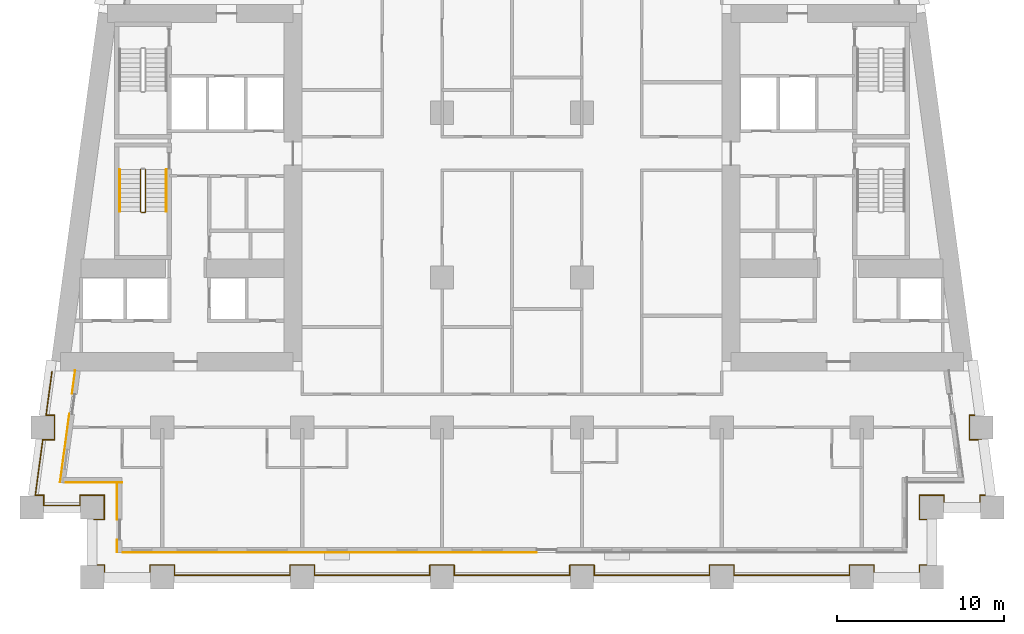
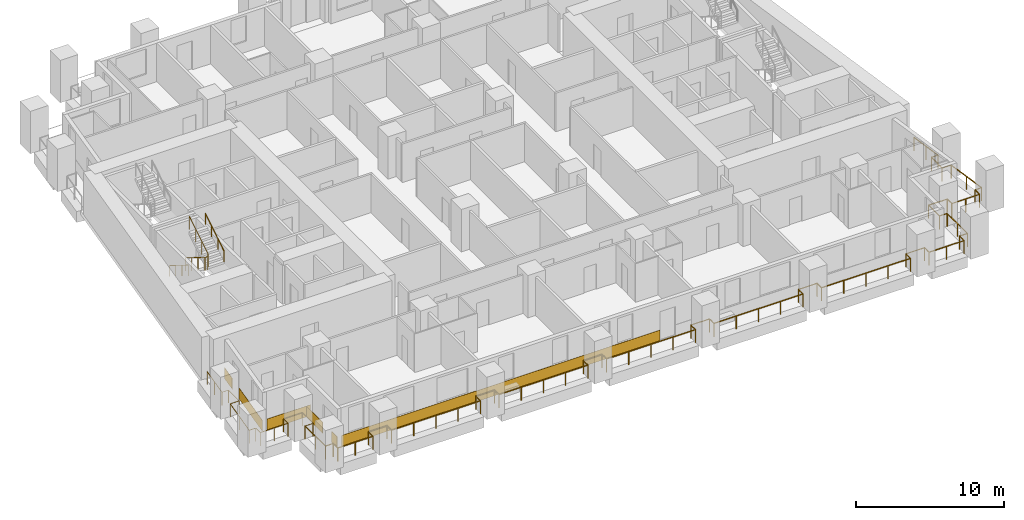
# One storey, part 9 of 13: 6 coverings, 5 railings.
"""IFC4 building model written with IfcOpenShell, lengths in metres."""

from ifc_helpers import new_model, si_unit, direction, frame, origin, origin_2d, place, context, subcontext, project, spatial, rectangle, circle, extrude, material, layer, layer_set, type_object, element, save


model = new_model("IFC4")

# Units and contexts
model_context = context("Model", 3, precision=1e-05, world=origin(), true_north=direction((0.0, 1.0)))
body_context = subcontext(model_context, "Body", "Model", "MODEL_VIEW")
ifc_project = project(units=[si_unit("LENGTHUNIT", "METRE"), si_unit("AREAUNIT", "SQUARE_METRE"), si_unit("VOLUMEUNIT", "CUBIC_METRE"), si_unit("PLANEANGLEUNIT", "RADIAN"), si_unit("MASSUNIT", "GRAM", prefix="KILO")], contexts=[model_context])

# Site, building, storey
site_placement = place(None, origin())
site = spatial("IfcSite", under=ifc_project, at=site_placement, CompositionType="ELEMENT")
building_placement = place(site_placement, origin())
building = spatial("IfcBuilding", under=site, at=building_placement, Name="Candeia Pilgrim Tower and Theatre", CompositionType="ELEMENT")
storey_placement = place(building_placement, frame((0.0, 0.0, 60.0)))
storey = spatial("IfcBuildingStorey", under=building, at=storey_placement, Name="L12", CompositionType="ELEMENT", Elevation=60.0)

# Railings
ifc_material_1 = material(Name="Stainless steel balustrade", Category="steel")
railing_type_1 = type_object("IfcRailingType", Name="G1 loggia guard 1100", PredefinedType="GUARDRAIL", material=ifc_material_1)
railing_1_placement = place(storey_placement, frame((88.320068359375, 101.469970703125, 0.0)))
element("IfcRailing", 1, at=railing_1_placement, inside=storey, type_object=railing_type_1, Name="Guard L12.1", PredefinedType="GUARDRAIL", context=body_context, shape_type="SweptSolid", body=[
    extrude(circle(Radius=0.02392578125, at=origin_2d()), frame((0.0, 0.0, 1.076171875), z_axis=(1.0, 0.0, 0.0), x_axis=(0.0, 1.0, 0.0)), (0.0, 0.0, 1.0), 0.60986328125),
    extrude(circle(Radius=0.02392578125, at=origin_2d()), frame((0.60986328125, 0.0, 1.076171875), z_axis=(0.0, 1.0, 0.0), x_axis=(-1.0, 0.0, 0.0)), (0.0, 0.0, 1.0), 1.4599609375),
    extrude(circle(Radius=0.02392578125, at=origin_2d()), frame((0.60986328125, 1.4599609375, 1.076171875), z_axis=(-1.0, 0.0, 0.0), x_axis=(0.0, -1.0, 0.0)), (0.0, 0.0, 1.0), 1.4599609375),
    extrude(circle(Radius=0.02392578125, at=origin_2d()), frame((-0.85009765625, 1.4599609375, 1.076171875), z_axis=(0.0, -1.0, 0.0), x_axis=(1.0, 0.0, 0.0)), (0.0, 0.0, 1.0), 0.60986328125),
    extrude(circle(Radius=0.02392578125, at=origin_2d()), frame((-0.85009765625, 0.85009765625, 1.076171875), z_axis=(-1.0, 0.0, 0.0), x_axis=(0.0, -1.0, 0.0)), (0.0, 0.0, 1.0), 2.174560546875),
    extrude(circle(Radius=0.02392578125, at=origin_2d()), frame((-3.024658203125, 0.85009765625, 1.076171875), z_axis=(0.0, 1.0, 0.0), x_axis=(-1.0, 0.0, 0.0)), (0.0, 0.0, 1.0), 0.60986328125),
    extrude(circle(Radius=0.02392578125, at=origin_2d()), frame((-3.024658203125, 1.4599609375, 1.076171875), z_axis=(-1.0, 0.0, 0.0), x_axis=(0.0, -1.0, 0.0)), (0.0, 0.0, 1.0), 0.5107421875),
    extrude(circle(Radius=0.02392578125, at=origin_2d()), frame((-3.535400390625, 1.4599609375, 1.076171875), z_axis=(0.133435273035, 0.991057530071, 0.0), x_axis=(-0.991057530071, 0.133435273035, 0.0)), (0.0, 0.0, 1.0), 3.3701171875),
    extrude(circle(Radius=0.02392578125, at=origin_2d()), frame((-3.085693359375, 4.800048828125, 1.076171875), z_axis=(1.0, 0.0, 0.0), x_axis=(0.0, 1.0, 0.0)), (0.0, 0.0, 1.0), 0.707275390625),
    extrude(circle(Radius=0.02392578125, at=origin_2d()), frame((-2.37841796875, 4.800048828125, 1.076171875), z_axis=(0.0, 1.0, 0.0), x_axis=(-1.0, 0.0, 0.0)), (0.0, 0.0, 1.0), 1.4599609375),
    extrude(circle(Radius=0.02392578125, at=origin_2d()), frame((-2.37841796875, 6.260009765625, 1.076171875), z_axis=(-1.0, 0.0, 0.0), x_axis=(0.0, -1.0, 0.0)), (0.0, 0.0, 1.0), 0.5107421875),
    extrude(circle(Radius=0.02392578125, at=origin_2d()), frame((-2.88916015625, 6.260009765625, 1.076171875), z_axis=(0.133439920495, 0.991056904329, 0.0), x_axis=(-0.991056904329, 0.133439920495, 0.0)), (0.0, 0.0, 1.0), 2.643798828125),
    extrude(circle(Radius=0.02099609375, at=origin_2d()), origin(), (0.0, 0.0, 1.0), 1.052001953125),
    extrude(circle(Radius=0.02099609375, at=origin_2d()), frame((0.60986328125, 0.0, 0.0)), (0.0, 0.0, 1.0), 1.052001953125),
    extrude(circle(Radius=0.02099609375, at=origin_2d()), frame((0.60986328125, 1.4599609375, 0.0)), (0.0, 0.0, 1.0), 1.052001953125),
    extrude(circle(Radius=0.02099609375, at=origin_2d()), frame((-0.85009765625, 1.4599609375, 0.0)), (0.0, 0.0, 1.0), 1.052001953125),
    extrude(circle(Radius=0.02099609375, at=origin_2d()), frame((-0.85009765625, 0.85009765625, 0.0)), (0.0, 0.0, 1.0), 1.052001953125),
    extrude(circle(Radius=0.02099609375, at=origin_2d()), frame((-1.9375, 0.85009765625, 0.0)), (0.0, 0.0, 1.0), 1.052001953125),
    extrude(circle(Radius=0.02099609375, at=origin_2d()), frame((-3.024658203125, 0.85009765625, 0.0)), (0.0, 0.0, 1.0), 1.052001953125),
    extrude(circle(Radius=0.02099609375, at=origin_2d()), frame((-3.024658203125, 1.4599609375, 0.0)), (0.0, 0.0, 1.0), 1.052001953125),
    extrude(circle(Radius=0.02099609375, at=origin_2d()), frame((-3.535400390625, 1.4599609375, 0.0)), (0.0, 0.0, 1.0), 1.052001953125),
    extrude(circle(Radius=0.02099609375, at=origin_2d()), frame((-3.310546875, 3.1298828125, 0.0)), (0.0, 0.0, 1.0), 1.052001953125),
    extrude(circle(Radius=0.02099609375, at=origin_2d()), frame((-3.085693359375, 4.800048828125, 0.0)), (0.0, 0.0, 1.0), 1.052001953125),
    extrude(circle(Radius=0.02099609375, at=origin_2d()), frame((-2.37841796875, 4.800048828125, 0.0)), (0.0, 0.0, 1.0), 1.052001953125),
    extrude(circle(Radius=0.02099609375, at=origin_2d()), frame((-2.37841796875, 6.260009765625, 0.0)), (0.0, 0.0, 1.0), 1.052001953125),
    extrude(circle(Radius=0.02099609375, at=origin_2d()), frame((-2.88916015625, 6.260009765625, 0.0)), (0.0, 0.0, 1.0), 1.052001953125),
    extrude(circle(Radius=0.02099609375, at=origin_2d()), frame((-2.712890625, 7.570068359375, 0.0)), (0.0, 0.0, 1.0), 1.052001953125),
    extrude(circle(Radius=0.02099609375, at=origin_2d()), frame((-2.536376953125, 8.880126953125, 0.0)), (0.0, 0.0, 1.0), 1.052001953125),
])
railing_2_placement = place(storey_placement, frame((141.016357421875, 110.35009765625, 0.0)))
element("IfcRailing", 2, at=railing_2_placement, inside=storey, type_object=railing_type_1, Name="Guard L12.4", PredefinedType="GUARDRAIL", context=body_context, shape_type="SweptSolid", body=[
    extrude(circle(Radius=0.02392578125, at=origin_2d()), frame((0.0, 0.0, 1.076171875), z_axis=(0.133439920495, -0.991056904329, 0.0), x_axis=(0.991056904329, 0.133439920495, 0.0)), (0.0, 0.0, 1.0), 2.643798828125),
    extrude(circle(Radius=0.02392578125, at=origin_2d()), frame((0.352783203125, -2.6201171875, 1.076171875), z_axis=(-1.0, 0.0, 0.0), x_axis=(0.0, -1.0, 0.0)), (0.0, 0.0, 1.0), 0.5107421875),
    extrude(circle(Radius=0.02392578125, at=origin_2d()), frame((-0.157958984375, -2.6201171875, 1.076171875), z_axis=(0.0, -1.0, 0.0), x_axis=(1.0, 0.0, 0.0)), (0.0, 0.0, 1.0), 1.4599609375),
    extrude(circle(Radius=0.02392578125, at=origin_2d()), frame((-0.157958984375, -4.080078125, 1.076171875), z_axis=(1.0, 0.0, 0.0), x_axis=(0.0, 1.0, 0.0)), (0.0, 0.0, 1.0), 0.707275390625),
    extrude(circle(Radius=0.02392578125, at=origin_2d()), frame((0.54931640625, -4.080078125, 1.076171875), z_axis=(0.133435273035, -0.991057530071, 0.0), x_axis=(0.991057530071, 0.133435273035, 0.0)), (0.0, 0.0, 1.0), 3.3701171875),
    extrude(circle(Radius=0.02392578125, at=origin_2d()), frame((0.9990234375, -7.420166015625, 1.076171875), z_axis=(-1.0, 0.0, 0.0), x_axis=(0.0, -1.0, 0.0)), (0.0, 0.0, 1.0), 0.5107421875),
    extrude(circle(Radius=0.02392578125, at=origin_2d()), frame((0.48828125, -7.420166015625, 1.076171875), z_axis=(0.0, -1.0, 0.0), x_axis=(1.0, 0.0, 0.0)), (0.0, 0.0, 1.0), 0.60986328125),
    extrude(circle(Radius=0.02392578125, at=origin_2d()), frame((0.48828125, -8.030029296875, 1.076171875), z_axis=(-1.0, 0.0, 0.0), x_axis=(0.0, -1.0, 0.0)), (0.0, 0.0, 1.0), 2.174560546875),
    extrude(circle(Radius=0.02392578125, at=origin_2d()), frame((-1.686279296875, -8.030029296875, 1.076171875), z_axis=(0.0, 1.0, 0.0), x_axis=(-1.0, 0.0, 0.0)), (0.0, 0.0, 1.0), 0.60986328125),
    extrude(circle(Radius=0.02392578125, at=origin_2d()), frame((-1.686279296875, -7.420166015625, 1.076171875), z_axis=(-1.0, 0.0, 0.0), x_axis=(0.0, -1.0, 0.0)), (0.0, 0.0, 1.0), 1.4599609375),
    extrude(circle(Radius=0.02392578125, at=origin_2d()), frame((-3.146240234375, -7.420166015625, 1.076171875), z_axis=(0.0, -1.0, 0.0), x_axis=(1.0, 0.0, 0.0)), (0.0, 0.0, 1.0), 1.4599609375),
    extrude(circle(Radius=0.02392578125, at=origin_2d()), frame((-3.146240234375, -8.880126953125, 1.076171875), z_axis=(1.0, 0.0, 0.0), x_axis=(0.0, 1.0, 0.0)), (0.0, 0.0, 1.0), 0.60986328125),
    extrude(circle(Radius=0.02392578125, at=origin_2d()), frame((-2.536376953125, -8.880126953125, 1.076171875), z_axis=(0.0, -1.0, 0.0), x_axis=(1.0, 0.0, 0.0)), (0.0, 0.0, 1.0), 2.739990234375),
    extrude(circle(Radius=0.02392578125, at=origin_2d()), frame((-2.536376953125, -11.6201171875, 1.076171875), z_axis=(-1.0, 0.0, 0.0), x_axis=(0.0, -1.0, 0.0)), (0.0, 0.0, 1.0), 0.60986328125),
    extrude(circle(Radius=0.02392578125, at=origin_2d()), frame((-3.146240234375, -11.6201171875, 1.076171875), z_axis=(0.0, -1.0, 0.0), x_axis=(1.0, 0.0, 0.0)), (0.0, 0.0, 1.0), 0.60986328125),
    extrude(circle(Radius=0.02392578125, at=origin_2d()), frame((-3.146240234375, -12.22998046875, 1.076171875), z_axis=(-1.0, 0.0, 0.0), x_axis=(0.0, -1.0, 0.0)), (0.0, 0.0, 1.0), 2.740234375),
    extrude(circle(Radius=0.02392578125, at=origin_2d()), frame((-5.886474609375, -12.22998046875, 1.076171875), z_axis=(0.0, 1.0, 0.0), x_axis=(-1.0, 0.0, 0.0)), (0.0, 0.0, 1.0), 0.60986328125),
    extrude(circle(Radius=0.02392578125, at=origin_2d()), frame((-5.886474609375, -11.6201171875, 1.076171875), z_axis=(-1.0, 0.0, 0.0), x_axis=(0.0, -1.0, 0.0)), (0.0, 0.0, 1.0), 1.4599609375),
    extrude(circle(Radius=0.02392578125, at=origin_2d()), frame((-7.346435546875, -11.6201171875, 1.076171875), z_axis=(0.0, -1.0, 0.0), x_axis=(1.0, 0.0, 0.0)), (0.0, 0.0, 1.0), 0.60986328125),
    extrude(circle(Radius=0.02392578125, at=origin_2d()), frame((-7.346435546875, -12.22998046875, 1.076171875), z_axis=(-1.0, 0.0, 0.0), x_axis=(0.0, -1.0, 0.0)), (0.0, 0.0, 1.0), 6.93994140625),
    extrude(circle(Radius=0.02392578125, at=origin_2d()), frame((-14.286376953125, -12.22998046875, 1.076171875), z_axis=(0.0, 1.0, 0.0), x_axis=(-1.0, 0.0, 0.0)), (0.0, 0.0, 1.0), 0.60986328125),
    extrude(circle(Radius=0.02392578125, at=origin_2d()), frame((-14.286376953125, -11.6201171875, 1.076171875), z_axis=(-1.0, 0.0, 0.0), x_axis=(0.0, -1.0, 0.0)), (0.0, 0.0, 1.0), 1.4599609375),
    extrude(circle(Radius=0.02392578125, at=origin_2d()), frame((-15.746337890625, -11.6201171875, 1.076171875), z_axis=(0.0, -1.0, 0.0), x_axis=(1.0, 0.0, 0.0)), (0.0, 0.0, 1.0), 0.60986328125),
    extrude(circle(Radius=0.02392578125, at=origin_2d()), frame((-15.746337890625, -12.22998046875, 1.076171875), z_axis=(-1.0, 0.0, 0.0), x_axis=(0.0, -1.0, 0.0)), (0.0, 0.0, 1.0), 6.93994140625),
    extrude(circle(Radius=0.02392578125, at=origin_2d()), frame((-22.686279296875, -12.22998046875, 1.076171875), z_axis=(0.0, 1.0, 0.0), x_axis=(-1.0, 0.0, 0.0)), (0.0, 0.0, 1.0), 0.60986328125),
    extrude(circle(Radius=0.02392578125, at=origin_2d()), frame((-22.686279296875, -11.6201171875, 1.076171875), z_axis=(-1.0, 0.0, 0.0), x_axis=(0.0, -1.0, 0.0)), (0.0, 0.0, 1.0), 1.4599609375),
    extrude(circle(Radius=0.02392578125, at=origin_2d()), frame((-24.146240234375, -11.6201171875, 1.076171875), z_axis=(0.0, -1.0, 0.0), x_axis=(1.0, 0.0, 0.0)), (0.0, 0.0, 1.0), 0.60986328125),
    extrude(circle(Radius=0.02392578125, at=origin_2d()), frame((-24.146240234375, -12.22998046875, 1.076171875), z_axis=(-1.0, 0.0, 0.0), x_axis=(0.0, -1.0, 0.0)), (0.0, 0.0, 1.0), 6.940185546875),
    extrude(circle(Radius=0.02392578125, at=origin_2d()), frame((-31.08642578125, -12.22998046875, 1.076171875), z_axis=(0.0, 1.0, 0.0), x_axis=(-1.0, 0.0, 0.0)), (0.0, 0.0, 1.0), 0.60986328125),
    extrude(circle(Radius=0.02392578125, at=origin_2d()), frame((-31.08642578125, -11.6201171875, 1.076171875), z_axis=(-1.0, 0.0, 0.0), x_axis=(0.0, -1.0, 0.0)), (0.0, 0.0, 1.0), 1.4599609375),
    extrude(circle(Radius=0.02392578125, at=origin_2d()), frame((-32.54638671875, -11.6201171875, 1.076171875), z_axis=(0.0, -1.0, 0.0), x_axis=(1.0, 0.0, 0.0)), (0.0, 0.0, 1.0), 0.60986328125),
    extrude(circle(Radius=0.02392578125, at=origin_2d()), frame((-32.54638671875, -12.22998046875, 1.076171875), z_axis=(-1.0, 0.0, 0.0), x_axis=(0.0, -1.0, 0.0)), (0.0, 0.0, 1.0), 6.93994140625),
    extrude(circle(Radius=0.02392578125, at=origin_2d()), frame((-39.486328125, -12.22998046875, 1.076171875), z_axis=(0.0, 1.0, 0.0), x_axis=(-1.0, 0.0, 0.0)), (0.0, 0.0, 1.0), 0.60986328125),
    extrude(circle(Radius=0.02392578125, at=origin_2d()), frame((-39.486328125, -11.6201171875, 1.076171875), z_axis=(-1.0, 0.0, 0.0), x_axis=(0.0, -1.0, 0.0)), (0.0, 0.0, 1.0), 1.4599609375),
    extrude(circle(Radius=0.02392578125, at=origin_2d()), frame((-40.9462890625, -11.6201171875, 1.076171875), z_axis=(0.0, -1.0, 0.0), x_axis=(1.0, 0.0, 0.0)), (0.0, 0.0, 1.0), 0.60986328125),
    extrude(circle(Radius=0.02392578125, at=origin_2d()), frame((-40.9462890625, -12.22998046875, 1.076171875), z_axis=(-1.0, 0.0, 0.0), x_axis=(0.0, -1.0, 0.0)), (0.0, 0.0, 1.0), 6.940185546875),
    extrude(circle(Radius=0.02392578125, at=origin_2d()), frame((-47.886474609375, -12.22998046875, 1.076171875), z_axis=(0.0, 1.0, 0.0), x_axis=(-1.0, 0.0, 0.0)), (0.0, 0.0, 1.0), 0.60986328125),
    extrude(circle(Radius=0.02392578125, at=origin_2d()), frame((-47.886474609375, -11.6201171875, 1.076171875), z_axis=(-1.0, 0.0, 0.0), x_axis=(0.0, -1.0, 0.0)), (0.0, 0.0, 1.0), 1.4599609375),
    extrude(circle(Radius=0.02392578125, at=origin_2d()), frame((-49.346435546875, -11.6201171875, 1.076171875), z_axis=(0.0, -1.0, 0.0), x_axis=(1.0, 0.0, 0.0)), (0.0, 0.0, 1.0), 0.60986328125),
    extrude(circle(Radius=0.02392578125, at=origin_2d()), frame((-49.346435546875, -12.22998046875, 1.076171875), z_axis=(-1.0, 0.0, 0.0), x_axis=(0.0, -1.0, 0.0)), (0.0, 0.0, 1.0), 2.739990234375),
    extrude(circle(Radius=0.02392578125, at=origin_2d()), frame((-52.08642578125, -12.22998046875, 1.076171875), z_axis=(0.0, 1.0, 0.0), x_axis=(-1.0, 0.0, 0.0)), (0.0, 0.0, 1.0), 0.60986328125),
    extrude(circle(Radius=0.02392578125, at=origin_2d()), frame((-52.08642578125, -11.6201171875, 1.076171875), z_axis=(-1.0, 0.0, 0.0), x_axis=(0.0, -1.0, 0.0)), (0.0, 0.0, 1.0), 0.60986328125),
    extrude(circle(Radius=0.02392578125, at=origin_2d()), frame((-52.6962890625, -11.6201171875, 1.076171875), z_axis=(0.0, 1.0, 0.0), x_axis=(-1.0, 0.0, 0.0)), (0.0, 0.0, 1.0), 2.739990234375),
    extrude(circle(Radius=0.02099609375, at=origin_2d()), origin(), (0.0, 0.0, 1.0), 1.052001953125),
    extrude(circle(Radius=0.02099609375, at=origin_2d()), frame((0.17626953125, -1.31005859375, 0.0)), (0.0, 0.0, 1.0), 1.052001953125),
    extrude(circle(Radius=0.02099609375, at=origin_2d()), frame((0.352783203125, -2.6201171875, 0.0)), (0.0, 0.0, 1.0), 1.052001953125),
    extrude(circle(Radius=0.02099609375, at=origin_2d()), frame((-0.157958984375, -2.6201171875, 0.0)), (0.0, 0.0, 1.0), 1.052001953125),
    extrude(circle(Radius=0.02099609375, at=origin_2d()), frame((-0.157958984375, -4.080078125, 0.0)), (0.0, 0.0, 1.0), 1.052001953125),
    extrude(circle(Radius=0.02099609375, at=origin_2d()), frame((0.54931640625, -4.080078125, 0.0)), (0.0, 0.0, 1.0), 1.052001953125),
    extrude(circle(Radius=0.02099609375, at=origin_2d()), frame((0.774169921875, -5.75, 0.0)), (0.0, 0.0, 1.0), 1.052001953125),
    extrude(circle(Radius=0.02099609375, at=origin_2d()), frame((0.9990234375, -7.420166015625, 0.0)), (0.0, 0.0, 1.0), 1.052001953125),
    extrude(circle(Radius=0.02099609375, at=origin_2d()), frame((0.48828125, -7.420166015625, 0.0)), (0.0, 0.0, 1.0), 1.052001953125),
    extrude(circle(Radius=0.02099609375, at=origin_2d()), frame((0.48828125, -8.030029296875, 0.0)), (0.0, 0.0, 1.0), 1.052001953125),
    extrude(circle(Radius=0.02099609375, at=origin_2d()), frame((-0.59912109375, -8.030029296875, 0.0)), (0.0, 0.0, 1.0), 1.052001953125),
    extrude(circle(Radius=0.02099609375, at=origin_2d()), frame((-1.686279296875, -8.030029296875, 0.0)), (0.0, 0.0, 1.0), 1.052001953125),
    extrude(circle(Radius=0.02099609375, at=origin_2d()), frame((-1.686279296875, -7.420166015625, 0.0)), (0.0, 0.0, 1.0), 1.052001953125),
    extrude(circle(Radius=0.02099609375, at=origin_2d()), frame((-3.146240234375, -7.420166015625, 0.0)), (0.0, 0.0, 1.0), 1.052001953125),
    extrude(circle(Radius=0.02099609375, at=origin_2d()), frame((-3.146240234375, -8.880126953125, 0.0)), (0.0, 0.0, 1.0), 1.052001953125),
    extrude(circle(Radius=0.02099609375, at=origin_2d()), frame((-2.536376953125, -8.880126953125, 0.0)), (0.0, 0.0, 1.0), 1.052001953125),
    extrude(circle(Radius=0.02099609375, at=origin_2d()), frame((-2.536376953125, -10.25, 0.0)), (0.0, 0.0, 1.0), 1.052001953125),
    extrude(circle(Radius=0.02099609375, at=origin_2d()), frame((-2.536376953125, -11.6201171875, 0.0)), (0.0, 0.0, 1.0), 1.052001953125),
    extrude(circle(Radius=0.02099609375, at=origin_2d()), frame((-3.146240234375, -11.6201171875, 0.0)), (0.0, 0.0, 1.0), 1.052001953125),
    extrude(circle(Radius=0.02099609375, at=origin_2d()), frame((-3.146240234375, -12.22998046875, 0.0)), (0.0, 0.0, 1.0), 1.052001953125),
    extrude(circle(Radius=0.02099609375, at=origin_2d()), frame((-4.516357421875, -12.22998046875, 0.0)), (0.0, 0.0, 1.0), 1.052001953125),
    extrude(circle(Radius=0.02099609375, at=origin_2d()), frame((-5.886474609375, -12.22998046875, 0.0)), (0.0, 0.0, 1.0), 1.052001953125),
    extrude(circle(Radius=0.02099609375, at=origin_2d()), frame((-5.886474609375, -11.6201171875, 0.0)), (0.0, 0.0, 1.0), 1.052001953125),
    extrude(circle(Radius=0.02099609375, at=origin_2d()), frame((-7.346435546875, -11.6201171875, 0.0)), (0.0, 0.0, 1.0), 1.052001953125),
    extrude(circle(Radius=0.02099609375, at=origin_2d()), frame((-7.346435546875, -12.22998046875, 0.0)), (0.0, 0.0, 1.0), 1.052001953125),
    extrude(circle(Radius=0.02099609375, at=origin_2d()), frame((-9.08154296875, -12.22998046875, 0.0)), (0.0, 0.0, 1.0), 1.052001953125),
    extrude(circle(Radius=0.02099609375, at=origin_2d()), frame((-10.81640625, -12.22998046875, 0.0)), (0.0, 0.0, 1.0), 1.052001953125),
    extrude(circle(Radius=0.02099609375, at=origin_2d()), frame((-12.55126953125, -12.22998046875, 0.0)), (0.0, 0.0, 1.0), 1.052001953125),
    extrude(circle(Radius=0.02099609375, at=origin_2d()), frame((-14.286376953125, -12.22998046875, 0.0)), (0.0, 0.0, 1.0), 1.052001953125),
    extrude(circle(Radius=0.02099609375, at=origin_2d()), frame((-14.286376953125, -11.6201171875, 0.0)), (0.0, 0.0, 1.0), 1.052001953125),
    extrude(circle(Radius=0.02099609375, at=origin_2d()), frame((-15.746337890625, -11.6201171875, 0.0)), (0.0, 0.0, 1.0), 1.052001953125),
    extrude(circle(Radius=0.02099609375, at=origin_2d()), frame((-15.746337890625, -12.22998046875, 0.0)), (0.0, 0.0, 1.0), 1.052001953125),
    extrude(circle(Radius=0.02099609375, at=origin_2d()), frame((-17.4814453125, -12.22998046875, 0.0)), (0.0, 0.0, 1.0), 1.052001953125),
    extrude(circle(Radius=0.02099609375, at=origin_2d()), frame((-19.21630859375, -12.22998046875, 0.0)), (0.0, 0.0, 1.0), 1.052001953125),
    extrude(circle(Radius=0.02099609375, at=origin_2d()), frame((-20.951171875, -12.22998046875, 0.0)), (0.0, 0.0, 1.0), 1.052001953125),
    extrude(circle(Radius=0.02099609375, at=origin_2d()), frame((-22.686279296875, -12.22998046875, 0.0)), (0.0, 0.0, 1.0), 1.052001953125),
    extrude(circle(Radius=0.02099609375, at=origin_2d()), frame((-22.686279296875, -11.6201171875, 0.0)), (0.0, 0.0, 1.0), 1.052001953125),
    extrude(circle(Radius=0.02099609375, at=origin_2d()), frame((-24.146240234375, -11.6201171875, 0.0)), (0.0, 0.0, 1.0), 1.052001953125),
    extrude(circle(Radius=0.02099609375, at=origin_2d()), frame((-24.146240234375, -12.22998046875, 0.0)), (0.0, 0.0, 1.0), 1.052001953125),
    extrude(circle(Radius=0.02099609375, at=origin_2d()), frame((-25.88134765625, -12.22998046875, 0.0)), (0.0, 0.0, 1.0), 1.052001953125),
    extrude(circle(Radius=0.02099609375, at=origin_2d()), frame((-27.6162109375, -12.22998046875, 0.0)), (0.0, 0.0, 1.0), 1.052001953125),
    extrude(circle(Radius=0.02099609375, at=origin_2d()), frame((-29.351318359375, -12.22998046875, 0.0)), (0.0, 0.0, 1.0), 1.052001953125),
    extrude(circle(Radius=0.02099609375, at=origin_2d()), frame((-31.08642578125, -12.22998046875, 0.0)), (0.0, 0.0, 1.0), 1.052001953125),
    extrude(circle(Radius=0.02099609375, at=origin_2d()), frame((-31.08642578125, -11.6201171875, 0.0)), (0.0, 0.0, 1.0), 1.052001953125),
    extrude(circle(Radius=0.02099609375, at=origin_2d()), frame((-32.54638671875, -11.6201171875, 0.0)), (0.0, 0.0, 1.0), 1.052001953125),
    extrude(circle(Radius=0.02099609375, at=origin_2d()), frame((-32.54638671875, -12.22998046875, 0.0)), (0.0, 0.0, 1.0), 1.052001953125),
    extrude(circle(Radius=0.02099609375, at=origin_2d()), frame((-34.28125, -12.22998046875, 0.0)), (0.0, 0.0, 1.0), 1.052001953125),
    extrude(circle(Radius=0.02099609375, at=origin_2d()), frame((-36.016357421875, -12.22998046875, 0.0)), (0.0, 0.0, 1.0), 1.052001953125),
    extrude(circle(Radius=0.02099609375, at=origin_2d()), frame((-37.75146484375, -12.22998046875, 0.0)), (0.0, 0.0, 1.0), 1.052001953125),
    extrude(circle(Radius=0.02099609375, at=origin_2d()), frame((-39.486328125, -12.22998046875, 0.0)), (0.0, 0.0, 1.0), 1.052001953125),
    extrude(circle(Radius=0.02099609375, at=origin_2d()), frame((-39.486328125, -11.6201171875, 0.0)), (0.0, 0.0, 1.0), 1.052001953125),
    extrude(circle(Radius=0.02099609375, at=origin_2d()), frame((-40.9462890625, -11.6201171875, 0.0)), (0.0, 0.0, 1.0), 1.052001953125),
    extrude(circle(Radius=0.02099609375, at=origin_2d()), frame((-40.9462890625, -12.22998046875, 0.0)), (0.0, 0.0, 1.0), 1.052001953125),
    extrude(circle(Radius=0.02099609375, at=origin_2d()), frame((-42.681396484375, -12.22998046875, 0.0)), (0.0, 0.0, 1.0), 1.052001953125),
    extrude(circle(Radius=0.02099609375, at=origin_2d()), frame((-44.41650390625, -12.22998046875, 0.0)), (0.0, 0.0, 1.0), 1.052001953125),
    extrude(circle(Radius=0.02099609375, at=origin_2d()), frame((-46.1513671875, -12.22998046875, 0.0)), (0.0, 0.0, 1.0), 1.052001953125),
    extrude(circle(Radius=0.02099609375, at=origin_2d()), frame((-47.886474609375, -12.22998046875, 0.0)), (0.0, 0.0, 1.0), 1.052001953125),
    extrude(circle(Radius=0.02099609375, at=origin_2d()), frame((-47.886474609375, -11.6201171875, 0.0)), (0.0, 0.0, 1.0), 1.052001953125),
    extrude(circle(Radius=0.02099609375, at=origin_2d()), frame((-49.346435546875, -11.6201171875, 0.0)), (0.0, 0.0, 1.0), 1.052001953125),
    extrude(circle(Radius=0.02099609375, at=origin_2d()), frame((-49.346435546875, -12.22998046875, 0.0)), (0.0, 0.0, 1.0), 1.052001953125),
    extrude(circle(Radius=0.02099609375, at=origin_2d()), frame((-50.71630859375, -12.22998046875, 0.0)), (0.0, 0.0, 1.0), 1.052001953125),
    extrude(circle(Radius=0.02099609375, at=origin_2d()), frame((-52.08642578125, -12.22998046875, 0.0)), (0.0, 0.0, 1.0), 1.052001953125),
    extrude(circle(Radius=0.02099609375, at=origin_2d()), frame((-52.08642578125, -11.6201171875, 0.0)), (0.0, 0.0, 1.0), 1.052001953125),
    extrude(circle(Radius=0.02099609375, at=origin_2d()), frame((-52.6962890625, -11.6201171875, 0.0)), (0.0, 0.0, 1.0), 1.052001953125),
    extrude(circle(Radius=0.02099609375, at=origin_2d()), frame((-52.6962890625, -10.25, 0.0)), (0.0, 0.0, 1.0), 1.052001953125),
    extrude(circle(Radius=0.02099609375, at=origin_2d()), frame((-52.6962890625, -8.880126953125, 0.0)), (0.0, 0.0, 1.0), 1.052001953125),
])

# Coverings
ifc_material_2 = material(Name="Glazed ceramic tile deep red")
ifc_layer = layer(ifc_material_2, 0.02001953125)
ifc_layer_set = layer_set([ifc_layer], Name="Glazed ceramic tile deep red")
covering_type = type_object("IfcCoveringType", Name="Glazed ceramic tile deep red", PredefinedType="CLADDING", material=ifc_layer_set)
covering_1_placement = place(storey_placement, frame((102.4599609375, 99.489990234375, 0.0), z_axis=(0.0, 0.0, 1.0), x_axis=(1.0, 0.0, 0.0)))
element("IfcCovering", 3, at=covering_1_placement, inside=storey, type_object=covering_type, Name="Tile cladding deep red L12", PredefinedType="CLADDING", context=body_context, shape_type="SweptSolid", body=[
    extrude(rectangle(XDim=24.8798828125, YDim=0.02001953125, at=origin_2d()), origin(), (0.0, 0.0, 1.0), 0.89990234375),
])
covering_2_placement = place(storey_placement, frame((87.0810546875, 109.71875, 0.0), z_axis=(0.0, 0.0, 1.0), x_axis=(-0.133412012145, -0.991060661622, 0.0)))
element("IfcCovering", 4, at=covering_2_placement, inside=storey, type_object=covering_type, Name="Tile cladding deep red L12", PredefinedType="CLADDING", context=body_context, shape_type="SweptSolid", body=[
    extrude(rectangle(XDim=1.41796875, YDim=0.02001953125, at=origin_2d()), origin(), (0.0, 0.0, 1.0), 0.89990234375),
])
covering_3_placement = place(storey_placement, frame((86.548583984375, 105.763916015625, 0.0), z_axis=(0.0, 0.0, 1.0), x_axis=(-0.133412012145, -0.991060661622, 0.0)))
element("IfcCovering", 5, at=covering_3_placement, inside=storey, type_object=covering_type, Name="Tile cladding deep red L12", PredefinedType="CLADDING", context=body_context, shape_type="SweptSolid", body=[
    extrude(rectangle(XDim=4.16259765625, YDim=0.02001953125, at=origin_2d()), origin(), (0.0, 0.0, 1.0), 0.89990234375),
])
covering_4_placement = place(storey_placement, frame((88.311279296875, 103.68994140625, 0.0), z_axis=(0.0, 0.0, 1.0), x_axis=(1.0, 0.0, 0.0)))
element("IfcCovering", 6, at=covering_4_placement, inside=storey, type_object=covering_type, Name="Tile cladding deep red L12", PredefinedType="CLADDING", context=body_context, shape_type="SweptSolid", body=[
    extrude(rectangle(XDim=3.377685546875, YDim=0.02001953125, at=origin_2d()), origin(), (0.0, 0.0, 1.0), 0.89990234375),
])
covering_5_placement = place(storey_placement, frame((89.68994140625, 102.56494140625, 0.0), z_axis=(0.0, 0.0, 1.0), x_axis=(0.0, -1.0, 0.0)))
element("IfcCovering", 7, at=covering_5_placement, inside=storey, type_object=covering_type, Name="Tile cladding deep red L12", PredefinedType="CLADDING", context=body_context, shape_type="SweptSolid", body=[
    extrude(rectangle(XDim=2.22998046875, YDim=0.02001953125, at=origin_2d()), origin(), (0.0, 0.0, 1.0), 0.89990234375),
])
covering_6_placement = place(storey_placement, frame((89.68994140625, 99.875, 0.0), z_axis=(0.0, 0.0, 1.0), x_axis=(0.0, -1.0, 0.0)))
element("IfcCovering", 8, at=covering_6_placement, inside=storey, type_object=covering_type, Name="Tile cladding deep red L12", PredefinedType="CLADDING", context=body_context, shape_type="SweptSolid", body=[
    extrude(rectangle(XDim=0.75, YDim=0.02001953125, at=origin_2d()), origin(), (0.0, 0.0, 1.0), 0.89990234375),
])

# Railings
railing_type_2 = type_object("IfcRailingType", Name="RL-GUARD-1100", PredefinedType="GUARDRAIL", material=ifc_material_1)
railing_3_placement = place(storey_placement, frame((91.10205078125, 122.47509765625, 0.175048828125)))
element("IfcRailing", 9, at=railing_3_placement, inside=storey, type_object=railing_type_2, Name="L12 ST1 stair guard 1", PredefinedType="GUARDRAIL", context=body_context, shape_type="SweptSolid", body=[
    extrude(circle(Radius=0.02392578125, at=origin_2d()), frame((0.0, 0.0, 1.076171875), z_axis=(0.0, -0.848007534815, 0.529984170421), x_axis=(1.0, 0.0, 0.0)), (0.0, 0.0, 1.0), 2.9716796875),
    extrude(circle(Radius=0.02392578125, at=origin_2d()), frame((0.0, -2.52001953125, 2.65087890625), z_axis=(0.707106781187, -0.707106781187, 0.0), x_axis=(0.707106781187, 0.707106781187, 0.0)), (0.0, 0.0, 1.0), 0.07080078125),
    extrude(circle(Radius=0.02392578125, at=origin_2d()), frame((0.050048828125, -2.570068359375, 2.65087890625), z_axis=(1.0, 0.0, 0.0), x_axis=(0.0, 1.0, 0.0)), (0.0, 0.0, 1.0), 0.199951171875),
    extrude(circle(Radius=0.02392578125, at=origin_2d()), frame((0.25, -2.570068359375, 2.65087890625), z_axis=(0.265065253269, 0.265065253269, 0.927081885822), x_axis=(-0.707106781187, 0.707106781187, 0.0)), (0.0, 0.0, 1.0), 0.188720703125),
    extrude(circle(Radius=0.02392578125, at=origin_2d()), frame((0.300048828125, -2.52001953125, 2.826171875), z_axis=(0.0, 0.848007534815, 0.529984170421), x_axis=(-1.0, 0.0, 0.0)), (0.0, 0.0, 1.0), 2.9716796875),
    extrude(circle(Radius=0.02099609375, at=origin_2d()), origin(), (0.0, 0.0, 1.0), 1.052001953125),
    extrude(circle(Radius=0.02099609375, at=origin_2d()), frame((0.0, -0.840087890625, 0.52490234375)), (0.0, 0.0, 1.0), 1.052001953125),
    extrude(circle(Radius=0.02099609375, at=origin_2d()), frame((0.0, -1.679931640625, 1.050048828125)), (0.0, 0.0, 1.0), 1.052001953125),
    extrude(circle(Radius=0.02099609375, at=origin_2d()), frame((0.0, -2.52001953125, 1.574951171875)), (0.0, 0.0, 1.0), 1.052001953125),
    extrude(circle(Radius=0.02099609375, at=origin_2d()), frame((0.050048828125, -2.570068359375, 1.574951171875)), (0.0, 0.0, 1.0), 1.052001953125),
    extrude(circle(Radius=0.02099609375, at=origin_2d()), frame((0.25, -2.570068359375, 1.574951171875)), (0.0, 0.0, 1.0), 1.052001953125),
    extrude(circle(Radius=0.02099609375, at=origin_2d()), frame((0.300048828125, -2.52001953125, 1.75)), (0.0, 0.0, 1.0), 1.052001953125),
    extrude(circle(Radius=0.02099609375, at=origin_2d()), frame((0.300048828125, -1.679931640625, 2.27490234375)), (0.0, 0.0, 1.0), 1.052001953125),
    extrude(circle(Radius=0.02099609375, at=origin_2d()), frame((0.300048828125, -0.840087890625, 2.800048828125)), (0.0, 0.0, 1.0), 1.052001953125),
    extrude(circle(Radius=0.02099609375, at=origin_2d()), frame((0.300048828125, 0.0, 3.324951171875)), (0.0, 0.0, 1.0), 1.052001953125),
])
ifc_material_3 = material(Name="Stainless steel handrail", Category="steel")
railing_type_3 = type_object("IfcRailingType", Name="RL-HANDRAIL-900", PredefinedType="HANDRAIL", material=ifc_material_3)
railing_4_placement = place(storey_placement, frame((89.85205078125, 122.47509765625, 0.175048828125)))
element("IfcRailing", 10, at=railing_4_placement, inside=storey, type_object=railing_type_3, Name="L12 ST1 stair handrail 1", PredefinedType="HANDRAIL", context=body_context, shape_type="SweptSolid", body=[
    extrude(circle(Radius=0.02392578125, at=origin_2d()), frame((0.0, 0.0, 0.8759765625), z_axis=(0.0, -0.848007534815, 0.529984170421), x_axis=(1.0, 0.0, 0.0)), (0.0, 0.0, 1.0), 2.9716796875),
    extrude(circle(Radius=0.02099609375, at=origin_2d()), origin(), (0.0, 0.0, 1.0), 0.851806640625),
    extrude(circle(Radius=0.02099609375, at=origin_2d()), frame((0.0, -0.840087890625, 0.52490234375)), (0.0, 0.0, 1.0), 0.851806640625),
    extrude(circle(Radius=0.02099609375, at=origin_2d()), frame((0.0, -1.679931640625, 1.050048828125)), (0.0, 0.0, 1.0), 0.851806640625),
    extrude(circle(Radius=0.02099609375, at=origin_2d()), frame((0.0, -2.52001953125, 1.574951171875)), (0.0, 0.0, 1.0), 0.851806640625),
])
railing_5_placement = place(storey_placement, frame((92.652099609375, 119.955078125, 1.925048828125)))
element("IfcRailing", 11, at=railing_5_placement, inside=storey, type_object=railing_type_3, Name="L12 ST1 stair handrail 2", PredefinedType="HANDRAIL", context=body_context, shape_type="SweptSolid", body=[
    extrude(circle(Radius=0.02392578125, at=origin_2d()), frame((0.0, 0.0, 0.8759765625), z_axis=(0.0, 0.848007534815, 0.529984170421), x_axis=(-1.0, 0.0, 0.0)), (0.0, 0.0, 1.0), 2.9716796875),
    extrude(circle(Radius=0.02099609375, at=origin_2d()), origin(), (0.0, 0.0, 1.0), 0.851806640625),
    extrude(circle(Radius=0.02099609375, at=origin_2d()), frame((0.0, 0.840087890625, 0.52490234375)), (0.0, 0.0, 1.0), 0.851806640625),
    extrude(circle(Radius=0.02099609375, at=origin_2d()), frame((0.0, 1.679931640625, 1.050048828125)), (0.0, 0.0, 1.0), 0.851806640625),
    extrude(circle(Radius=0.02099609375, at=origin_2d()), frame((0.0, 2.52001953125, 1.574951171875)), (0.0, 0.0, 1.0), 0.851806640625),
])

save(model, "model.ifc")
